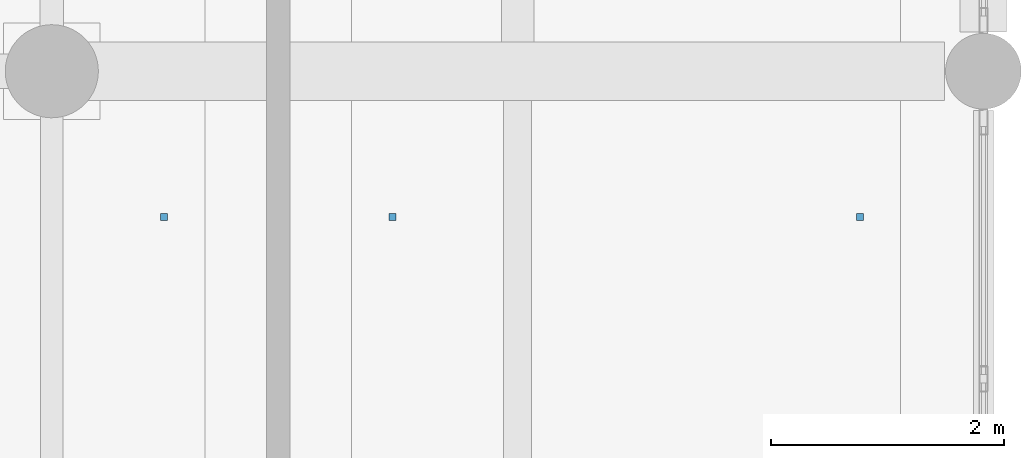
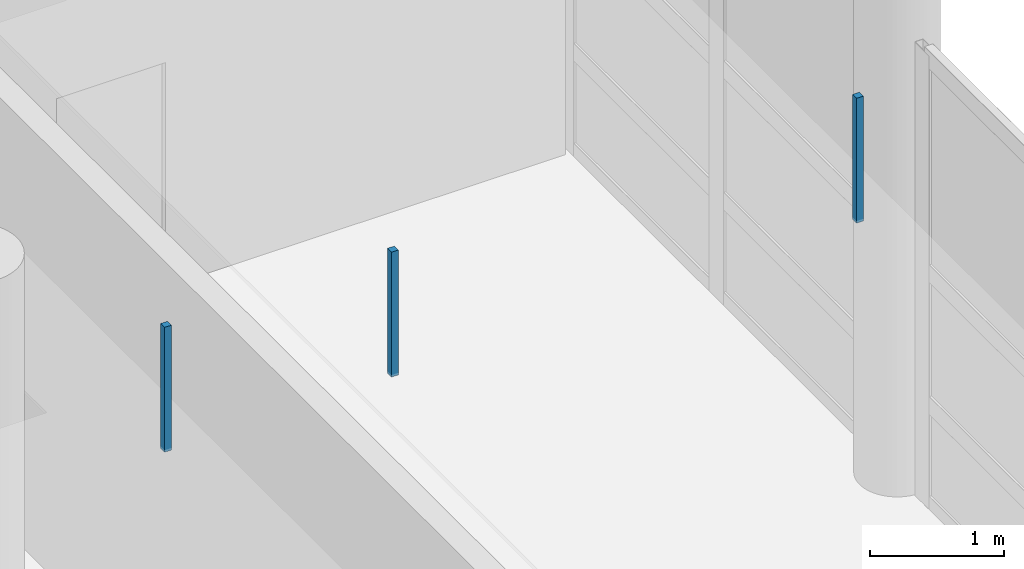
# One storey, part 16 of 18: 3 discrete accessories.
"""IFC4 building model written with IfcOpenShell, lengths in metres."""

import ifcopenshell
import ifcopenshell.guid

model = None  # the IFC model being written
_history = None  # IfcOwnerHistory: only IFC2X3 demands one
_inside = {}  # id of a spatial element -> (the spatial element, [elements in it])
_under = {}  # id of a project, library or spatial element -> (it, [spatial elements below it])
_declared = {}  # id of a project -> (the project, [libraries it declares])
_typed = {}  # id of a type object -> (the type object, [elements of that type])
_made_of = {}  # id of a material, layer set ... -> (it, [elements and type objects made of it])


def new_model(schema):
    """Start an empty IFC model of exactly this schema.

    Asked for "IFC4X3", IfcOpenShell would pick the latest addendum, in which some entities
    have other attributes; the version numbers below select the first issue.
    IFC2X3 requires an IfcOwnerHistory on every rooted entity: one is made here for all.
    """
    global model, _history
    if schema == "IFC4X3":
        model = ifcopenshell.file(schema_version=(4, 3, 0, 0))
    else:
        model = ifcopenshell.file(schema=schema)
    _inside.clear()
    _under.clear()
    _declared.clear()
    _typed.clear()
    _made_of.clear()
    _history = None
    if model.schema == "IFC2X3":
        org = make("IfcOrganization", Name="unknown")
        user = make(
            "IfcPersonAndOrganization",
            ThePerson=make("IfcPerson", FamilyName="unknown"),
            TheOrganization=org,
        )
        app = make(
            "IfcApplication",
            ApplicationDeveloper=org,
            Version="unknown",
            ApplicationFullName="unknown",
            ApplicationIdentifier="unknown",
        )
        _history = make(
            "IfcOwnerHistory",
            OwningUser=user,
            OwningApplication=app,
            ChangeAction="ADDED",
            CreationDate=0,
        )
    return model


def make(cls, **values):
    """One entity of the class cls with the attributes given. An attribute that is None is left unset."""
    return model.create_entity(
        cls, **{name: value for name, value in values.items() if value is not None}
    )


def rooted(cls, **values):
    """An entity with a GlobalId (a new one), such as an element, a storey or a relation."""
    return make(cls, GlobalId=ifcopenshell.guid.new(), OwnerHistory=_history, **values)


def si_unit(unit_type, name, prefix=None):
    """IfcSIUnit, for example si_unit("LENGTHUNIT", "METRE", prefix="MILLI")."""
    return make("IfcSIUnit", UnitType=unit_type, Prefix=prefix, Name=name)


def assignment(units):
    """IfcUnitAssignment: the units of a project."""
    return None if units is None else make("IfcUnitAssignment", Units=units)


def point(xyz):
    """IfcCartesianPoint."""
    return None if xyz is None else make("IfcCartesianPoint", Coordinates=xyz)


def direction(xyz):
    """IfcDirection."""
    return None if xyz is None else make("IfcDirection", DirectionRatios=xyz)


def frame(location, z_axis=None, x_axis=None):
    """IfcAxis2Placement3D, a coordinate frame: its origin and axes. An axis left out is left unset."""
    return make(
        "IfcAxis2Placement3D",
        Location=point(location),
        Axis=direction(z_axis),
        RefDirection=direction(x_axis),
    )


def frame_2d(location, x_axis=None):
    """IfcAxis2Placement2D, a coordinate frame in the plane: its origin and x axis."""
    return make(
        "IfcAxis2Placement2D", Location=point(location), RefDirection=direction(x_axis)
    )


def origin():
    """The frame at (0, 0, 0) with its axes left unset."""
    return frame((0.0, 0.0, 0.0))


def origin_2d():
    """The frame at (0, 0) in the plane with its x axis left unset."""
    return frame_2d((0.0, 0.0))


def place(relative_to, where):
    """IfcLocalPlacement: puts the frame where relative to a parent placement (None: the world)."""
    return make(
        "IfcLocalPlacement", PlacementRelTo=relative_to, RelativePlacement=where
    )


def context(
    kind, dimensions, precision=None, world=None, true_north=None, identifier=None
):
    """IfcGeometricRepresentationContext, for example the 3D "Model" context."""
    return make(
        "IfcGeometricRepresentationContext",
        ContextIdentifier=identifier,
        ContextType=kind,
        CoordinateSpaceDimension=dimensions,
        Precision=precision,
        WorldCoordinateSystem=world,
        TrueNorth=true_north,
    )


def subcontext(parent, identifier, kind, view, scale=None):
    """IfcGeometricRepresentationSubContext, for example "Body" below "Model"."""
    return make(
        "IfcGeometricRepresentationSubContext",
        ContextIdentifier=identifier,
        ContextType=kind,
        ParentContext=parent,
        TargetScale=scale,
        TargetView=view,
    )


def project(units=None, contexts=None):
    """IfcProject with its units and contexts."""
    return rooted(
        "IfcProject",
        Name="project",
        RepresentationContexts=contexts,
        UnitsInContext=assignment(units),
    )


def spatial(cls, under=None, at=None, **own):
    """A site, building, storey or space (cls), placed at a placement, below another one or the project."""
    s = rooted(cls, ObjectPlacement=at, **own)
    if under is not None:
        _under.setdefault(under.id(), (under, []))[1].append(s)
    return s


def profile(cls, at=None, kind="AREA", **sizes):
    """A parametric profile (cls). Its sizes go by their IFC names, for example OverallWidth=200.0."""
    return make(cls, ProfileType=kind, Position=at, **sizes)


def rectangle(**sizes):
    """IfcRectangleProfileDef."""
    return profile("IfcRectangleProfileDef", **sizes)


def extrude(swept, where, along, depth):
    """IfcExtrudedAreaSolid: the profile swept, set in the frame where, extruded along a direction by depth."""
    return make(
        "IfcExtrudedAreaSolid",
        SweptArea=swept,
        Position=where,
        ExtrudedDirection=direction(along),
        Depth=depth,
    )


def shape(context_of_items, identifier, shape_type, items):
    """IfcShapeRepresentation: the items that make up one representation, for example the "Body"."""
    return make(
        "IfcShapeRepresentation",
        ContextOfItems=context_of_items,
        RepresentationIdentifier=identifier,
        RepresentationType=shape_type,
        Items=items,
    )


def material(Name=None, Category=None):
    """IfcMaterial."""
    return make("IfcMaterial", Name=Name, Category=Category)


def made_of(thing, what):
    """Note that an element or type object is made of a material, layer set ...; save() writes the relation."""
    if what is not None:
        _made_of.setdefault(what.id(), (what, []))[1].append(thing)
    return thing


def type_object(cls, material=None, **own):
    """A type object (cls), such as IfcWallType, which elements share."""
    return made_of(rooted(cls, **own), material)


def element(
    cls,
    number,
    at=None,
    inside=None,
    cuts=None,
    type_object=None,
    material=None,
    context=None,
    identifier="Body",
    shape_type=None,
    held_by="IfcProductDefinitionShape",
    body=None,
    shapes=None,
    **own,
):
    """One element of the class cls, such as IfcWall. Its Tag is "e" and its number.

    at: its placement. inside: the storey or other place that contains it. cuts: it is an
    opening in that element (IfcRelVoidsElement). A single representation is given by context,
    identifier, shape_type and body (its items); several are given by shapes. held_by: the class
    of the entity that holds the representations. save() writes the other relations.
    """
    e = rooted(cls, Tag="e%d" % number, ObjectPlacement=at, **own)
    if body is not None:
        shapes = [shape(context, identifier, shape_type, body)]
    if shapes is not None:
        e.Representation = make(held_by, Representations=shapes)
    if inside is not None:
        _inside.setdefault(inside.id(), (inside, []))[1].append(e)
    if cuts is not None:
        rooted(
            "IfcRelVoidsElement", RelatingBuildingElement=cuts, RelatedOpeningElement=e
        )
    if type_object is not None:
        _typed.setdefault(type_object.id(), (type_object, []))[1].append(e)
    return made_of(e, material)


def aggregate(whole, parts):
    """IfcRelAggregates: a whole, such as a stair, and the parts it consists of."""
    return rooted("IfcRelAggregates", RelatingObject=whole, RelatedObjects=parts)


def save(model, path):
    """Write the relations noted so far, then the file.

    IfcRelAggregates (storeys below a building ...), IfcRelContainedInSpatialStructure (elements
    in a storey), IfcRelDefinesByType, IfcRelAssociatesMaterial and IfcRelDeclares: one each for
    every whole, place, type object, material and project.
    """
    for whole, parts in _under.values():
        aggregate(whole, parts)
    for where, things in _inside.values():
        rooted(
            "IfcRelContainedInSpatialStructure",
            RelatedElements=things,
            RelatingStructure=where,
        )
    for kind, things in _typed.values():
        rooted("IfcRelDefinesByType", RelatedObjects=things, RelatingType=kind)
    for what, things in _made_of.values():
        rooted("IfcRelAssociatesMaterial", RelatedObjects=things, RelatingMaterial=what)
    for by, libraries in _declared.values():
        rooted("IfcRelDeclares", RelatingContext=by, RelatedDefinitions=libraries)
    model.write(path)


model = new_model("IFC4")

# Units and contexts
model_context = context("Model", 3, precision=1e-05, world=origin(), true_north=direction((0.0, 1.0)))
body_context = subcontext(model_context, "Body", "Model", "MODEL_VIEW")
ifc_project = project(units=[si_unit("LENGTHUNIT", "METRE"), si_unit("AREAUNIT", "SQUARE_METRE"), si_unit("VOLUMEUNIT", "CUBIC_METRE"), si_unit("PLANEANGLEUNIT", "RADIAN"), si_unit("MASSUNIT", "GRAM", prefix="KILO")], contexts=[model_context])

# Site, building, storey
site_placement = place(None, origin())
site = spatial("IfcSite", under=ifc_project, at=site_placement, CompositionType="ELEMENT")
building_placement = place(site_placement, origin())
building = spatial("IfcBuilding", under=site, at=building_placement, Name="Khelvaren Railside Concert Hall", CompositionType="ELEMENT")
storey_placement = place(building_placement, frame((0.0, 0.0, 24.60009765625)))
storey = spatial("IfcBuildingStorey", under=building, at=storey_placement, Name="L05", CompositionType="ELEMENT", Elevation=24.60009765625)

# Discrete accessories
ifc_material = material(Name="Galvanised steel acoustic ceiling hanger rod", Category="steel")
discrete_accessory_type = type_object("IfcDiscreteAccessoryType", Name="BRK62", PredefinedType="BRACKET", material=ifc_material)
for number, where, z_axis, x_axis, name in (
    (1, (176.964111328125, 97.550048828125, 3.43017578125), (0.0, 0.0, 1.0), (1.0, 0.0, 0.0), "Acoustic Ceiling Suspension Bracket 171-2"),
    (2, (178.924072265625, 97.550048828125, 3.43017578125), (0.0, 0.0, 1.0), (1.0, 0.0, 0.0), "Acoustic Ceiling Suspension Bracket 172-1"),
    (3, (182.93994140625, 97.550048828125, 3.43017578125), (0.0, 0.0, 1.0), (1.0, 0.0, 0.0), "Acoustic Ceiling Suspension Bracket 172-2"),
):
    element("IfcDiscreteAccessory", number, at=place(storey_placement, frame(where, z_axis=z_axis, x_axis=x_axis)), inside=storey, type_object=discrete_accessory_type, Name=name, PredefinedType="BRACKET", context=body_context, shape_type="SweptSolid", body=[
        extrude(rectangle(XDim=0.06005859375, YDim=0.06005859375, at=origin_2d()), origin(), (0.0, 0.0, 1.0), 1.139892578125),
    ])

save(model, "model.ifc")
